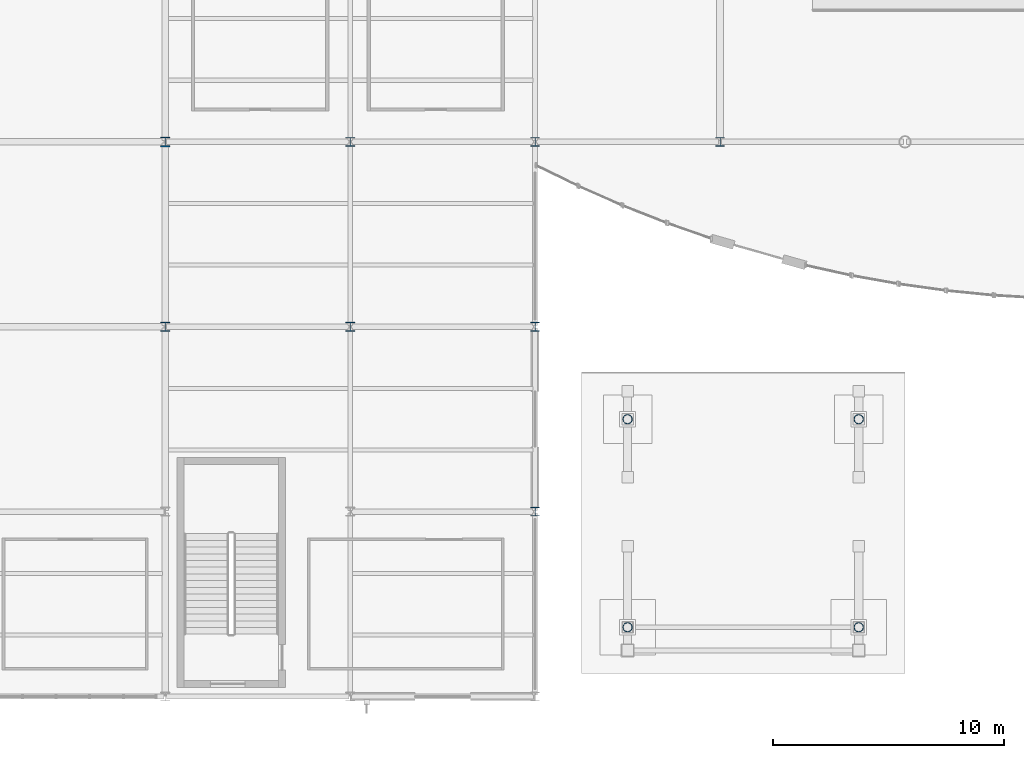
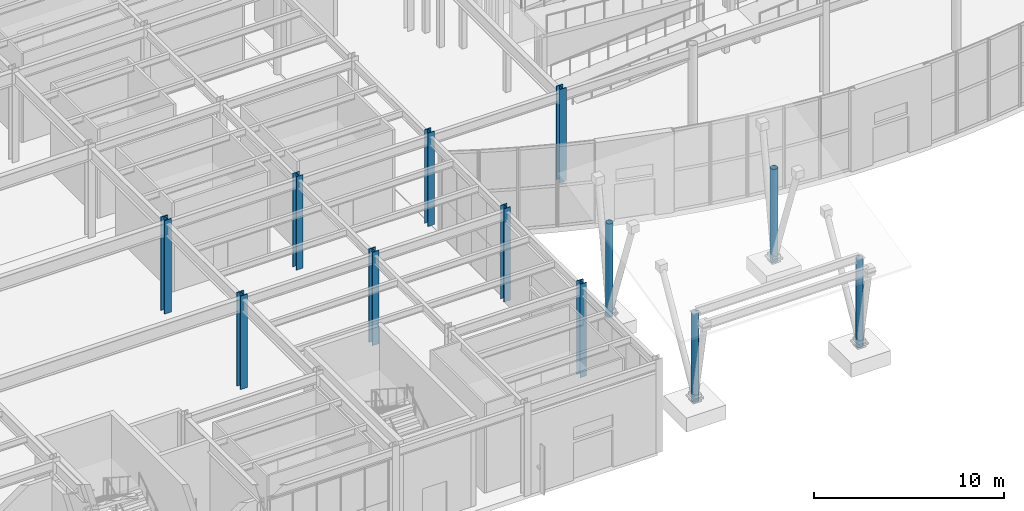
# One storey, part 6 of 82: 12 columns.
"""IFC4 building model written with IfcOpenShell, lengths in metres."""

from ifc_helpers import new_model, si_unit, direction, frame, origin, origin_2d, place, context, subcontext, project, spatial, hollow_circle, i_section, extrude, material, material_profile, profile_set, type_object, element, save


model = new_model("IFC4")

# Units and contexts
model_context = context("Model", 3, precision=1e-05, world=origin(), true_north=direction((0.0, 1.0)))
body_context = subcontext(model_context, "Body", "Model", "MODEL_VIEW")
ifc_project = project(units=[si_unit("LENGTHUNIT", "METRE"), si_unit("AREAUNIT", "SQUARE_METRE"), si_unit("VOLUMEUNIT", "CUBIC_METRE"), si_unit("PLANEANGLEUNIT", "RADIAN"), si_unit("MASSUNIT", "GRAM", prefix="KILO")], contexts=[model_context])

# Site, building, storey
site_placement = place(None, origin())
site = spatial("IfcSite", under=ifc_project, at=site_placement, CompositionType="ELEMENT")
building_placement = place(site_placement, origin())
building = spatial("IfcBuilding", under=site, at=building_placement, Name="Drelvath Fold Interchange", CompositionType="ELEMENT")
storey_placement = place(building_placement, origin())
storey = spatial("IfcBuildingStorey", under=building, at=storey_placement, Name="L00", CompositionType="ELEMENT", Elevation=0.0)

# Columns
ifc_material_1 = material(Name="Steel ASTM A500 Grade C", Category="steel")
ifc_material_profile_1 = material_profile(ifc_material_1, hollow_circle(Radius=0.202880859375, WallThickness=0.014892578125, at=origin_2d()), Name="HSS16.000X0.625")
ifc_profile_set_1 = profile_set([ifc_material_profile_1], Name="Steel ASTM A500 Grade C")
column_type_1 = type_object("IfcColumnType", Name="COL-CHS406", PredefinedType="COLUMN", material=ifc_profile_set_1)
for number, where, z_axis, x_axis, name in (
    (1, (56.0, 6.0, 0.0), (0.0, 0.0, 1.0), (1.0, 0.0, 0.0), "L00 column (56,6)"),
    (2, (66.0, 6.0, 0.0), (0.0, 0.0, 1.0), (1.0, 0.0, 0.0), "L00 column (66,6)"),
):
    element("IfcColumn", number, at=place(storey_placement, frame(where, z_axis=z_axis, x_axis=x_axis)), inside=storey, type_object=column_type_1, Name=name, PredefinedType="COLUMN", context=body_context, shape_type="SweptSolid", body=[
        extrude(hollow_circle(Radius=0.202880859375, WallThickness=0.014892578125, at=origin_2d()), origin(), (0.0, 0.0, 1.0), 5.68896484375),
    ])
for number, where, z_axis, x_axis, name in (
    (3, (56.0, 15.0, 0.0), (0.0, 0.0, 1.0), (1.0, 0.0, 0.0), "L00 column (56,15)"),
    (4, (66.0, 15.0, 0.0), (0.0, 0.0, 1.0), (1.0, 0.0, 0.0), "L00 column (66,15)"),
):
    element("IfcColumn", number, at=place(storey_placement, frame(where, z_axis=z_axis, x_axis=x_axis)), inside=storey, type_object=column_type_1, Name=name, PredefinedType="COLUMN", context=body_context, shape_type="SweptSolid", body=[
        extrude(hollow_circle(Radius=0.202880859375, WallThickness=0.014892578125, at=origin_2d()), origin(), (0.0, 0.0, 1.0), 6.0),
    ])
ifc_material_2 = material(Name="Steel ASTM A992 Grade 50", Category="steel")
ifc_material_profile_2 = material_profile(ifc_material_2, i_section(OverallWidth=0.39892578125, OverallDepth=0.39306640625, WebThickness=0.022705078125, FlangeThickness=0.03662109375, at=origin_2d()), Name="W14X193")
ifc_profile_set_2 = profile_set([ifc_material_profile_2], Name="Steel ASTM A992 Grade 50")
column_type_2 = type_object("IfcColumnType", Name="COL-W14X193", PredefinedType="COLUMN", material=ifc_profile_set_2)
for number, where, z_axis, x_axis, name in (
    (5, (44.0, 19.0, 0.0), (0.0, 0.0, 1.0), (1.0, 0.0, 0.0), "L00 column (44,19)"),
    (6, (44.0, 27.0, 0.0), (0.0, 0.0, 1.0), (1.0, 0.0, 0.0), "L00 column (44,27)"),
    (7, (52.0, 11.0, 0.0), (0.0, 0.0, 1.0), (1.0, 0.0, 0.0), "L00 column (52,11)"),
    (8, (52.0, 19.0, 0.0), (0.0, 0.0, 1.0), (1.0, 0.0, 0.0), "L00 column (52,19)"),
    (9, (52.0, 27.0, 0.0), (0.0, 0.0, 1.0), (1.0, 0.0, 0.0), "L00 column (52,27)"),
    (10, (60.0, 27.0, 0.0), (0.0, 0.0, 1.0), (1.0, 0.0, 0.0), "L00 column (60,27)"),
):
    element("IfcColumn", number, at=place(storey_placement, frame(where, z_axis=z_axis, x_axis=x_axis)), inside=storey, type_object=column_type_2, Name=name, PredefinedType="COLUMN", context=body_context, shape_type="SweptSolid", body=[
        extrude(i_section(OverallWidth=0.39892578125, OverallDepth=0.39306640625, WebThickness=0.022705078125, FlangeThickness=0.03662109375, at=origin_2d()), origin(), (0.0, 0.0, 1.0), 6.0),
    ])
ifc_material_profile_3 = material_profile(ifc_material_2, i_section(OverallWidth=0.408935546875, OverallDepth=0.425048828125, WebThickness=0.03271484375, FlangeThickness=0.052490234375, at=origin_2d()), Name="W14X283")
ifc_profile_set_3 = profile_set([ifc_material_profile_3], Name="Steel ASTM A992 Grade 50")
column_type_3 = type_object("IfcColumnType", Name="COL-W14X283", PredefinedType="COLUMN", material=ifc_profile_set_3)
for number, where, z_axis, x_axis, name in (
    (11, (36.0, 19.0, 0.0), (0.0, 0.0, 1.0), (1.0, 0.0, 0.0), "L00 column (36,19)"),
    (12, (36.0, 27.0, 0.0), (0.0, 0.0, 1.0), (1.0, 0.0, 0.0), "L00 column (36,27)"),
):
    element("IfcColumn", number, at=place(storey_placement, frame(where, z_axis=z_axis, x_axis=x_axis)), inside=storey, type_object=column_type_3, Name=name, PredefinedType="COLUMN", context=body_context, shape_type="SweptSolid", body=[
        extrude(i_section(OverallWidth=0.408935546875, OverallDepth=0.425048828125, WebThickness=0.03271484375, FlangeThickness=0.052490234375, at=origin_2d()), origin(), (0.0, 0.0, 1.0), 6.0),
    ])

save(model, "model.ifc")
